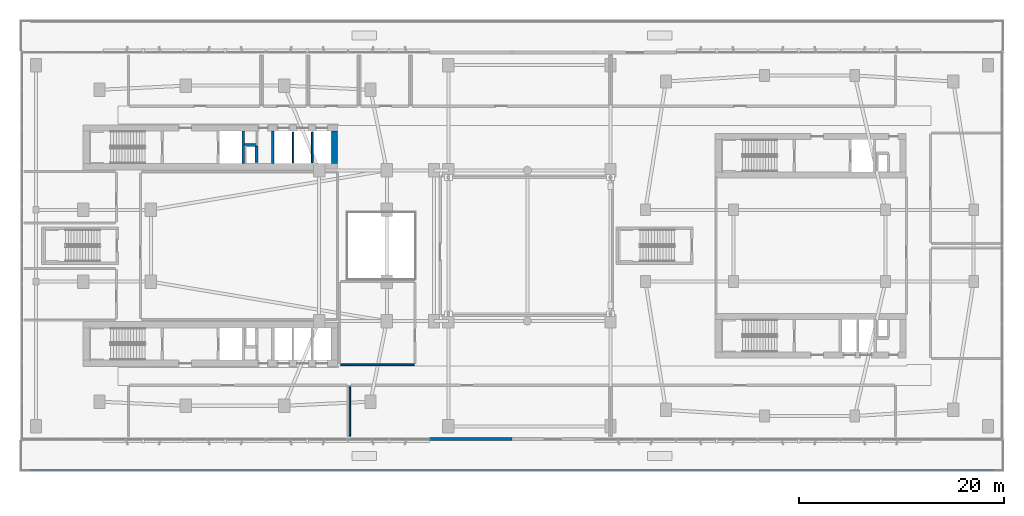
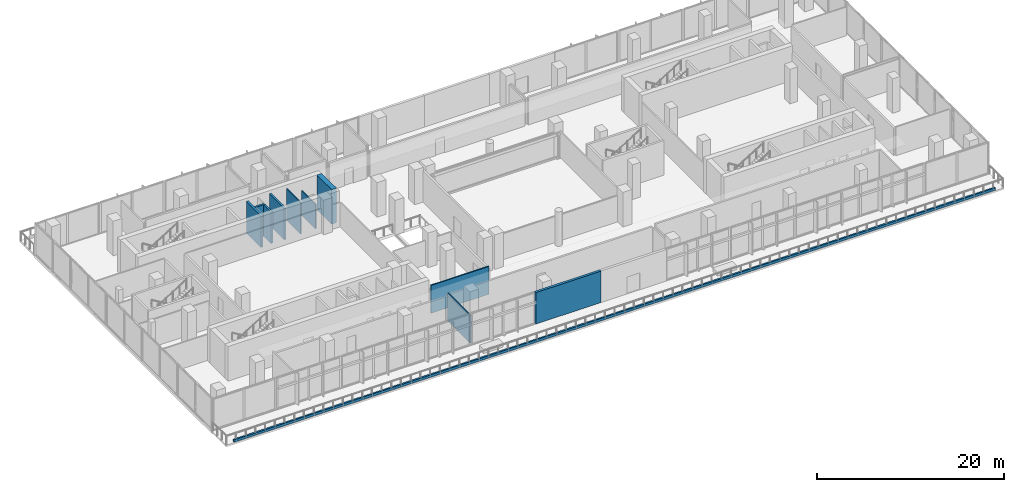
# One storey, part 14 of 31: 11 walls.
"""IFC4 building model written with IfcOpenShell, lengths in metres."""

from ifc_helpers import new_model, si_unit, derived_unit, direction, frame, frame_2d, origin, place, context, subcontext, project, spatial, rectangle, extrude, material, layer, layer_set, type_object, element, save


model = new_model("IFC4")

# Units and contexts
model_context = context("Model", 3, precision=1e-05, world=origin(), true_north=direction((0.0, 1.0)))
body_context = subcontext(model_context, "Body", "Model", "MODEL_VIEW")
ifc_project = project(units=[si_unit("LENGTHUNIT", "METRE"), si_unit("AREAUNIT", "SQUARE_METRE"), si_unit("VOLUMEUNIT", "CUBIC_METRE"), si_unit("PLANEANGLEUNIT", "RADIAN"), si_unit("MASSUNIT", "GRAM", prefix="KILO"), derived_unit("THERMALTRANSMITTANCEUNIT", [(si_unit("POWERUNIT", "WATT"), 1), (si_unit("LENGTHUNIT", "METRE"), -2), (si_unit("THERMODYNAMICTEMPERATUREUNIT", "KELVIN"), -1)])], contexts=[model_context])

# Site, building, storey
site_placement = place(None, origin())
site = spatial("IfcSite", under=ifc_project, at=site_placement, CompositionType="ELEMENT")
building_placement = place(site_placement, origin())
building = spatial("IfcBuilding", under=site, at=building_placement, Name="Kivonza Crest Hotel", CompositionType="ELEMENT")
storey_placement = place(building_placement, frame((0.0, 0.0, 15.0)))
storey = spatial("IfcBuildingStorey", under=building, at=storey_placement, Name="L03", CompositionType="ELEMENT", Elevation=15.0)

# Walls
ifc_material_1 = material(Name="Concrete C60/75", Category="concrete")
ifc_layer_1 = layer(ifc_material_1, 0.60009765625)
ifc_layer_set_1 = layer_set([ifc_layer_1], Name="Concrete C60/75")
wall_type_1 = type_object("IfcWallType", Name="WL-CORE-600", PredefinedType="SHEAR", material=ifc_layer_set_1)
wall_1_placement = place(storey_placement, frame((30.699951171875, 33.0, 0.0), z_axis=(0.0, 0.0, 1.0), x_axis=(0.0, 1.0, 0.0)))
element("IfcWall", 1, at=wall_1_placement, inside=storey, type_object=wall_type_1, Name="Core wall T1-N East L03", PredefinedType="SHEAR", context=body_context, shape_type="SweptSolid", body=[
    extrude(rectangle(XDim=3.159912109375, YDim=0.60009765625, at=frame_2d((1.580078125, 0.0))), origin(), (0.0, 0.0, 1.0), 4.5),
])
ifc_material_2 = material(Name="Precast concrete C40/50", Category="concrete")
ifc_layer_2 = layer(ifc_material_2, 0.300048828125)
ifc_layer_set_2 = layer_set([ifc_layer_2], Name="Precast concrete C40/50")
wall_type_2 = type_object("IfcWallType", Name="WL-EXT-300", PredefinedType="STANDARD", material=ifc_layer_set_2)
wall_2_placement = place(storey_placement, frame((39.9580078125, 6.14990234375, 0.0), z_axis=(0.0, 0.0, 1.0), x_axis=(1.0, 0.0, 0.0)))
element("IfcWall", 2, at=wall_2_placement, inside=storey, type_object=wall_type_2, Name="L03 POD exterior insulated wall 6", PredefinedType="STANDARD", context=body_context, shape_type="SweptSolid", body=[
    extrude(rectangle(XDim=8.050048828125, YDim=0.300048828125, at=frame_2d((4.02490234375, 0.0))), origin(), (0.0, 0.0, 1.0), 4.10009765625),
])
ifc_material_3 = material(Name="Concrete blockwork fire-compartment wall", Category="masonry")
ifc_layer_3 = layer(ifc_material_3, 0.25)
ifc_layer_set_3 = layer_set([ifc_layer_3], Name="Concrete blockwork fire-compartment wall")
wall_type_3 = type_object("IfcWallType", Name="WL-FIRE-250", PredefinedType="SOLIDWALL", material=ifc_layer_set_3)
wall_3_placement = place(storey_placement, frame((23.10009765625, 33.10009765625, 0.0), z_axis=(0.0, 0.0, 1.0), x_axis=(0.0, 1.0, 0.0)))
element("IfcWall", 3, at=wall_3_placement, inside=storey, type_object=wall_type_3, Name="L03 interior partition WA-L03-T1-N-MEPR-E", PredefinedType="SOLIDWALL", context=body_context, shape_type="SweptSolid", body=[
    extrude(rectangle(XDim=1.619873046875, YDim=0.25, at=frame_2d((0.81005859375, 0.0))), origin(), (0.0, 0.0, 1.0), 4.10009765625),
])
wall_4_placement = place(storey_placement, frame((21.949951171875, 34.820068359375, 0.0), z_axis=(0.0, 0.0, 1.0), x_axis=(1.0, 0.0, 0.0)))
element("IfcWall", 4, at=wall_4_placement, inside=storey, type_object=wall_type_3, Name="L03 interior partition WA-L03-T1-N-MEPR-H", PredefinedType="SOLIDWALL", context=body_context, shape_type="SweptSolid", body=[
    extrude(rectangle(XDim=1.150146484375, YDim=0.25, at=frame_2d((0.5751953125, 0.0))), origin(), (0.0, 0.0, 1.0), 4.10009765625),
])
ifc_layer_4 = layer(ifc_material_2, 0.199951171875)
ifc_layer_set_4 = layer_set([ifc_layer_4], Name="Precast concrete C40/50")
wall_type_4 = type_object("IfcWallType", Name="WL-PARAPET-200", PredefinedType="PARAPET", material=ifc_layer_set_4)
wall_5_placement = place(storey_placement, frame((1.080078125, 3.14990234375, 0.0), z_axis=(0.0, 0.0, 1.0), x_axis=(1.0, 0.0, 0.0)))
element("IfcWall", 5, at=wall_5_placement, inside=storey, type_object=wall_type_4, Name="L03 podium terrace edge parapet kerb 1", PredefinedType="PARAPET", context=body_context, shape_type="SweptSolid", body=[
    extrude(rectangle(XDim=93.83984375, YDim=0.199951171875, at=frame_2d((46.919921875, 0.0))), origin(), (0.0, 0.0, 1.0), 0.320068359375),
])
ifc_material_4 = material(Name="Twin-stud acoustic gypsum board partition", Category="gypsum")
ifc_layer_5 = layer(ifc_material_4, 0.14990234375)
ifc_layer_set_5 = layer_set([ifc_layer_5], Name="Twin-stud acoustic gypsum board partition")
wall_type_5 = type_object("IfcWallType", Name="WL-PART-150", PredefinedType="PARTITIONING", material=ifc_layer_set_5)
wall_6_placement = place(storey_placement, frame((26.6669921875, 33.10009765625, 0.0), z_axis=(0.0, 0.0, 1.0), x_axis=(0.0, 1.0, 0.0)))
element("IfcWall", 6, at=wall_6_placement, inside=storey, type_object=wall_type_5, Name="L03 interior partition WP-L03-T1-N-BSH-1", PredefinedType="PARTITIONING", context=body_context, shape_type="SweptSolid", body=[
    extrude(rectangle(XDim=2.9599609375, YDim=0.14990234375, at=frame_2d((1.47998046875, 0.0))), origin(), (0.0, 0.0, 1.0), 4.10009765625),
])
wall_7_placement = place(storey_placement, frame((28.532958984375, 33.10009765625, 0.0), z_axis=(0.0, 0.0, 1.0), x_axis=(0.0, 1.0, 0.0)))
element("IfcWall", 7, at=wall_7_placement, inside=storey, type_object=wall_type_5, Name="L03 interior partition WP-L03-T1-N-BSH-2", PredefinedType="PARTITIONING", context=body_context, shape_type="SweptSolid", body=[
    extrude(rectangle(XDim=2.9599609375, YDim=0.14990234375, at=frame_2d((1.47998046875, 0.0))), origin(), (0.0, 0.0, 1.0), 3.175048828125),
])
wall_8_placement = place(storey_placement, frame((31.300048828125, 13.39990234375, 0.0), z_axis=(0.0, 0.0, 1.0), x_axis=(1.0, 0.0, 0.0)))
element("IfcWall", 8, at=wall_8_placement, inside=storey, type_object=wall_type_5, Name="L03 interior partition WP-L03-CONF-B-BS", PredefinedType="PARTITIONING", context=body_context, shape_type="SweptSolid", body=[
    extrude(rectangle(XDim=7.14990234375, YDim=0.14990234375, at=frame_2d((3.574951171875, 0.0))), origin(), (0.0, 0.0, 1.0), 3.625),
])
wall_9_placement = place(storey_placement, frame((32.199951171875, 6.449951171875, 0.0), z_axis=(0.0, 0.0, 1.0), x_axis=(0.0, 1.0, 0.0)))
element("IfcWall", 9, at=wall_9_placement, inside=storey, type_object=wall_type_5, Name="L03 interior partition WP-L03-BRK-LNG1-BW", PredefinedType="PARTITIONING", context=body_context, shape_type="SweptSolid", body=[
    extrude(rectangle(XDim=4.800048828125, YDim=0.14990234375, at=frame_2d((2.39990234375, 0.0))), origin(), (0.0, 0.0, 1.0), 3.625),
])
ifc_material_5 = material(Name="Concrete C50/60", Category="concrete")
ifc_layer_6 = layer(ifc_material_5, 0.25)
ifc_layer_set_6 = layer_set([ifc_layer_6], Name="Concrete C50/60")
wall_type_6 = type_object("IfcWallType", Name="WL-SHAFT-250", PredefinedType="STANDARD", material=ifc_layer_set_6)
for number, where, z_axis, x_axis, name in (
    (10, (21.824951171875, 33.0, 0.0), (0.0, 0.0, 1.0), (0.0, 1.0, 0.0), "Core shaft wall T1-N FFL-E L03"),
    (11, (24.675048828125, 33.0, 0.0), (0.0, 0.0, 1.0), (0.0, 1.0, 0.0), "Core shaft wall T1-N BANK-W L03"),
):
    element("IfcWall", number, at=place(storey_placement, frame(where, z_axis=z_axis, x_axis=x_axis)), inside=storey, type_object=wall_type_6, Name=name, PredefinedType="STANDARD", context=body_context, shape_type="SweptSolid", body=[
        extrude(rectangle(XDim=3.159912109375, YDim=0.25, at=frame_2d((1.580078125, 0.0))), origin(), (0.0, 0.0, 1.0), 4.10009765625),
    ])

save(model, "model.ifc")
